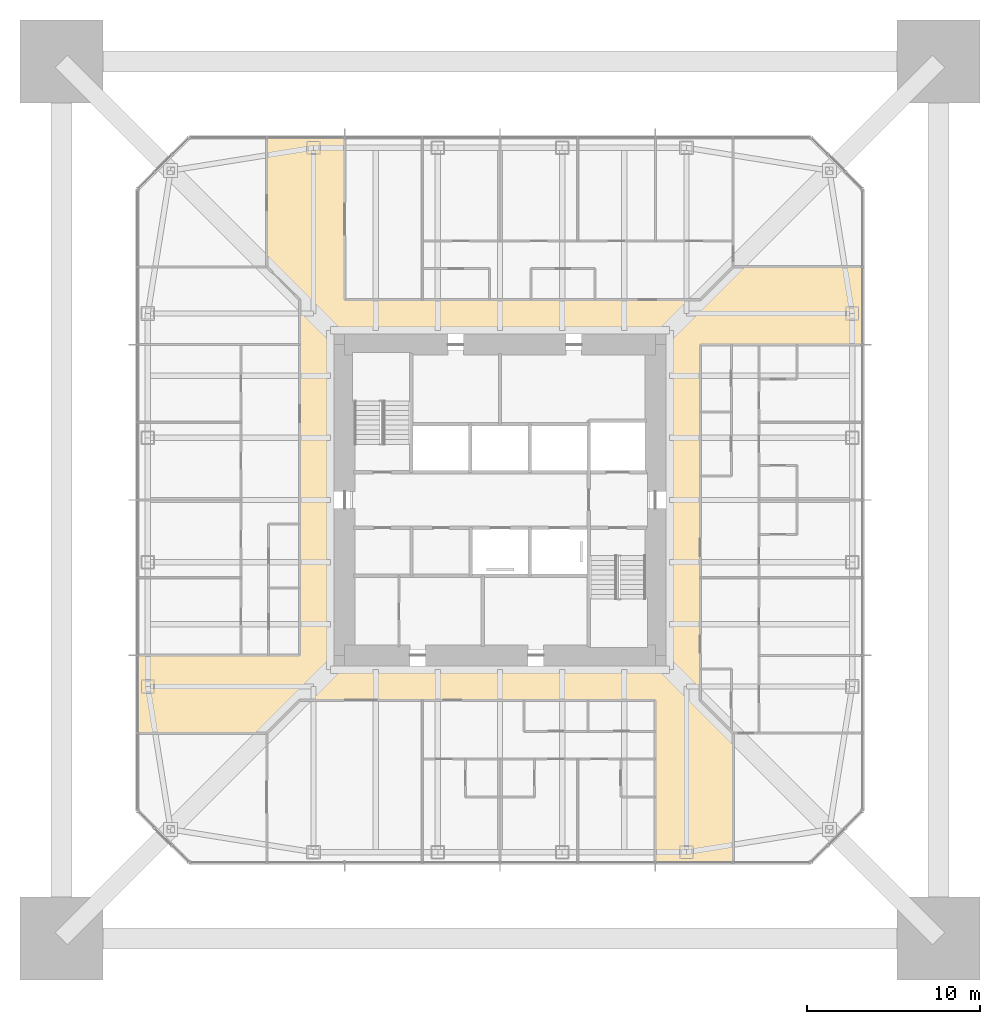
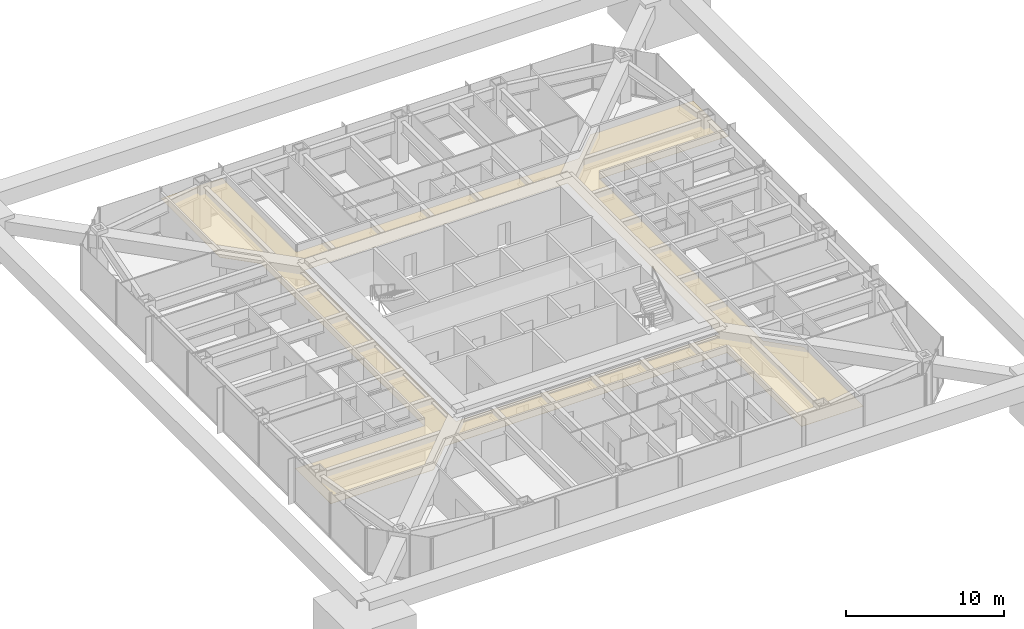
# One storey, part 18 of 20: 1 covering.
"""IFC4 building model written with IfcOpenShell, lengths in metres."""

from ifc_helpers import new_model, si_unit, direction, frame, origin, place, context, subcontext, project, spatial, polyline, outline, extrude, material, layer, layer_set, type_object, element, save


model = new_model("IFC4")

# Units and contexts
model_context = context("Model", 3, precision=1e-05, world=origin(), true_north=direction((0.0, 1.0)))
body_context = subcontext(model_context, "Body", "Model", "MODEL_VIEW")
ifc_project = project(units=[si_unit("LENGTHUNIT", "METRE"), si_unit("AREAUNIT", "SQUARE_METRE"), si_unit("VOLUMEUNIT", "CUBIC_METRE"), si_unit("PLANEANGLEUNIT", "RADIAN"), si_unit("MASSUNIT", "GRAM", prefix="KILO")], contexts=[model_context])

# Site, building, storey
site_placement = place(None, origin())
site = spatial("IfcSite", under=ifc_project, at=site_placement, CompositionType="ELEMENT")
building_placement = place(site_placement, origin())
building = spatial("IfcBuilding", under=site, at=building_placement, Name="Iwan Alto Co-Living Towers", CompositionType="ELEMENT")
storey_placement = place(building_placement, frame((0.0, 0.0, 140.0)))
storey = spatial("IfcBuildingStorey", under=building, at=storey_placement, Name="L38", CompositionType="ELEMENT", Elevation=140.0)

# Covering
ifc_material = material(Name="Gypsum plasterboard on steel grid", Category="steel")
ifc_layer = layer(ifc_material, 0.014892578125)
ifc_layer_set = layer_set([ifc_layer], Name="SUSPENDED PLASTERBOARD CEILING 15")
covering_type = type_object("IfcCoveringType", Name="SUSPENDED PLASTERBOARD CEILING 15", PredefinedType="CEILING", material=ifc_layer_set)
covering_placement = place(storey_placement, frame((0.0, 0.0, 2.60009765625)))
element("IfcCovering", 1, at=covering_placement, inside=storey, type_object=covering_type, Name="Ceiling Corridor L38", PredefinedType="CEILING", context=body_context, shape_type="SweptSolid", body=[
    extrude(outline(polyline([(13.5, -21.0), (9.0, -21.0), (9.0, -11.60009765625), (-11.60009765625, -11.60009765625), (-13.5, -13.5), (-21.0, -13.5), (-21.0, -9.0), (-11.60009765625, -9.0), (-11.60009765625, 11.60009765625), (-13.5, 13.5), (-13.5, 21.0), (-9.0, 21.0), (-9.0, 11.60009765625), (11.60009765625, 11.60009765625), (13.5, 13.5), (21.0, 13.5), (21.0, 9.0), (11.60009765625, 9.0), (11.60009765625, -11.60009765625), (13.5, -13.5), (13.5, -21.0)]), holes=[polyline([(9.60009765625, -9.60009765625), (9.60009765625, 9.60009765625), (-9.60009765625, 9.60009765625), (-9.60009765625, -9.60009765625), (9.60009765625, -9.60009765625)])]), origin(), (0.0, 0.0, 1.0), 0.014892578125),
])

save(model, "model.ifc")
